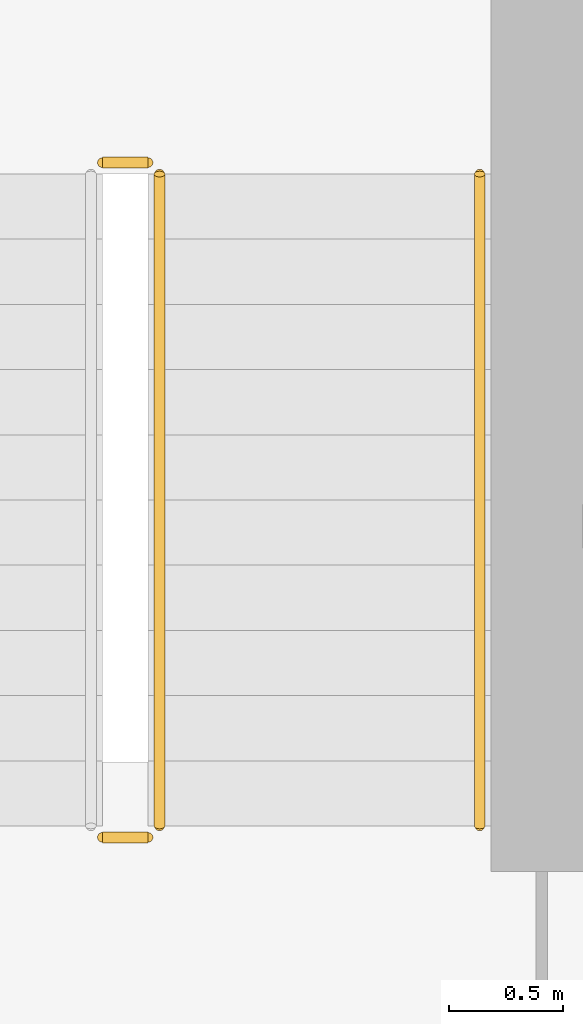
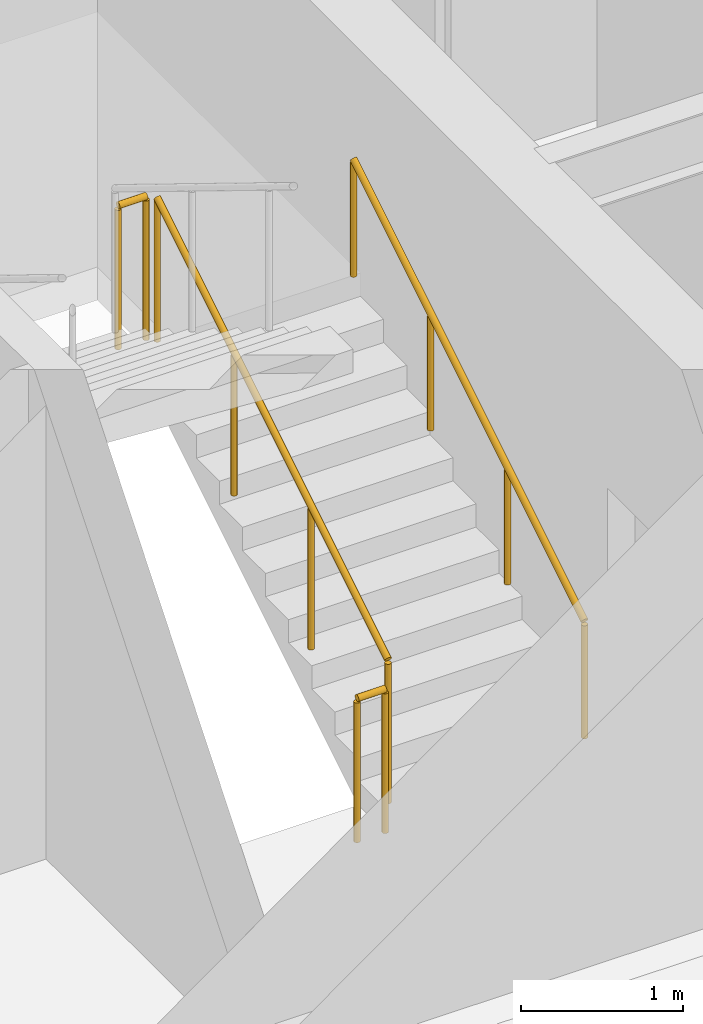
# One storey, part 13 of 13: 4 railings.
"""IFC4 building model written with IfcOpenShell, lengths in metres."""

from ifc_helpers import new_model, si_unit, direction, frame, origin, origin_2d, place, context, subcontext, project, spatial, circle, extrude, material, type_object, element, save


model = new_model("IFC4")

# Units and contexts
model_context = context("Model", 3, precision=1e-05, world=origin(), true_north=direction((0.0, 1.0)))
body_context = subcontext(model_context, "Body", "Model", "MODEL_VIEW")
ifc_project = project(units=[si_unit("LENGTHUNIT", "METRE"), si_unit("AREAUNIT", "SQUARE_METRE"), si_unit("VOLUMEUNIT", "CUBIC_METRE"), si_unit("PLANEANGLEUNIT", "RADIAN"), si_unit("MASSUNIT", "GRAM", prefix="KILO")], contexts=[model_context])

# Site, building, storey
site_placement = place(None, origin())
site = spatial("IfcSite", under=ifc_project, at=site_placement, CompositionType="ELEMENT")
building_placement = place(site_placement, origin())
building = spatial("IfcBuilding", under=site, at=building_placement, Name="Kavelnor Concourse Tower", CompositionType="ELEMENT")
storey_placement = place(building_placement, frame((0.0, 0.0, 168.85009765625)))
storey = spatial("IfcBuildingStorey", under=building, at=storey_placement, Name="L42", CompositionType="ELEMENT", Elevation=168.85009765625)

# Railings
ifc_material = material(Name="Steel Grade 350", Category="steel")
railing_type_1 = type_object("IfcRailingType", Name="RLG-GUARD-1100", PredefinedType="GUARDRAIL", material=ifc_material)
railing_1_placement = place(storey_placement, frame((46.070068359375, 11.10009765625, 0.1748046875)))
element("IfcRailing", 1, at=railing_1_placement, inside=storey, type_object=railing_type_1, Name="L42 ST2 stair guard 1", PredefinedType="GUARDRAIL", context=body_context, shape_type="SweptSolid", body=[
    extrude(circle(Radius=0.02392578125, at=origin_2d()), frame((0.0, 0.0, 1.076171875), z_axis=(0.0, 0.852159232446, 0.523282564737), x_axis=(-1.0, 0.0, 0.0)), (0.0, 0.0, 1.0), 3.34423828125),
    extrude(circle(Radius=0.02099609375, at=origin_2d()), origin(), (0.0, 0.0, 1.0), 1.052001953125),
    extrude(circle(Radius=0.02099609375, at=origin_2d()), frame((0.0, 0.949951171875, 0.583251953125)), (0.0, 0.0, 1.0), 1.052001953125),
    extrude(circle(Radius=0.02099609375, at=origin_2d()), frame((0.0, 1.89990234375, 1.166748046875)), (0.0, 0.0, 1.0), 1.052001953125),
    extrude(circle(Radius=0.02099609375, at=origin_2d()), frame((0.0, 2.849853515625, 1.75)), (0.0, 0.0, 1.0), 1.052001953125),
])
for number, where, name in (
    (2, (46.02001953125, 14.0, 1.9248046875), "L42 ST2 stair guard 2"),
    (3, (46.02001953125, 11.050048828125, 0.0), "L42 ST2 stair guard 4"),
):
    element("IfcRailing", number, at=place(storey_placement, frame(where)), inside=storey, type_object=railing_type_1, Name=name, PredefinedType="GUARDRAIL", context=body_context, shape_type="SweptSolid", body=[
        extrude(circle(Radius=0.02392578125, at=origin_2d()), frame((0.0, 0.0, 1.076171875), z_axis=(-1.0, 0.0, 0.0), x_axis=(0.0, -1.0, 0.0)), (0.0, 0.0, 1.0), 0.199951171875),
        extrude(circle(Radius=0.02099609375, at=origin_2d()), origin(), (0.0, 0.0, 1.0), 1.052001953125),
        extrude(circle(Radius=0.02099609375, at=origin_2d()), frame((-0.199951171875, 0.0, 0.0)), (0.0, 0.0, 1.0), 1.052001953125),
    ])
railing_type_2 = type_object("IfcRailingType", Name="RLG-HANDRAIL-900", PredefinedType="HANDRAIL", material=ifc_material)
railing_2_placement = place(storey_placement, frame((47.469970703125, 11.10009765625, 0.1748046875)))
element("IfcRailing", 4, at=railing_2_placement, inside=storey, type_object=railing_type_2, Name="L42 ST2 stair handrail 1", PredefinedType="HANDRAIL", context=body_context, shape_type="SweptSolid", body=[
    extrude(circle(Radius=0.02392578125, at=origin_2d()), frame((0.0, 0.0, 0.8759765625), z_axis=(0.0, 0.852159232446, 0.523282564737), x_axis=(-1.0, 0.0, 0.0)), (0.0, 0.0, 1.0), 3.34423828125),
    extrude(circle(Radius=0.02099609375, at=origin_2d()), origin(), (0.0, 0.0, 1.0), 0.851806640625),
    extrude(circle(Radius=0.02099609375, at=origin_2d()), frame((0.0, 0.949951171875, 0.583251953125)), (0.0, 0.0, 1.0), 0.851806640625),
    extrude(circle(Radius=0.02099609375, at=origin_2d()), frame((0.0, 1.89990234375, 1.166748046875)), (0.0, 0.0, 1.0), 0.851806640625),
    extrude(circle(Radius=0.02099609375, at=origin_2d()), frame((0.0, 2.849853515625, 1.75)), (0.0, 0.0, 1.0), 0.851806640625),
])

save(model, "model.ifc")
